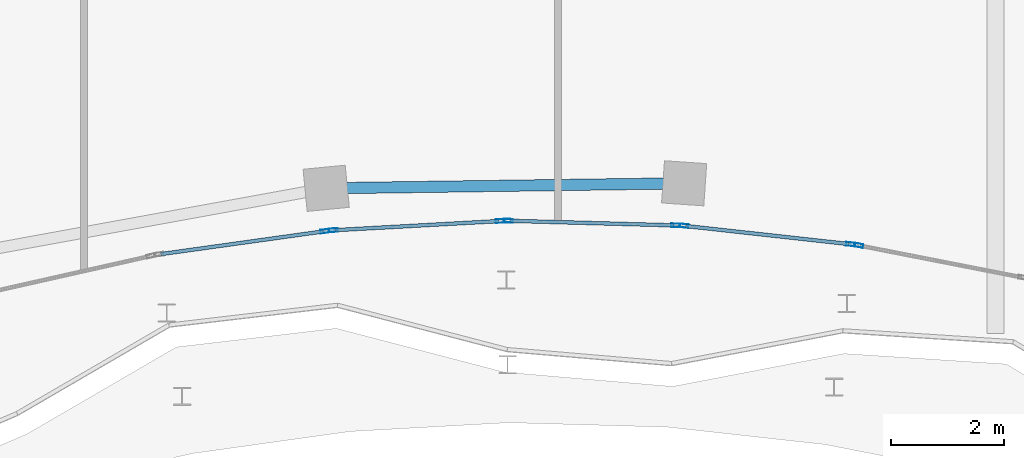
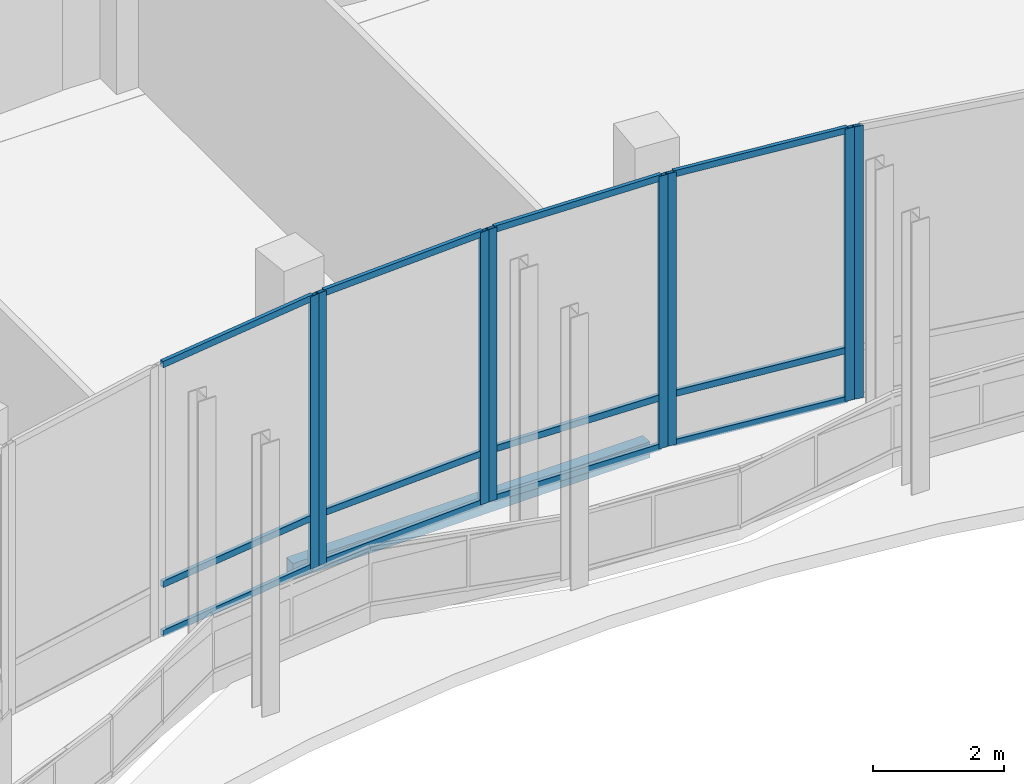
# One storey, part 95 of 158: 20 members, 1 beam, 5 elements without a shape of their own.
"""IFC4 building model written with IfcOpenShell, lengths in metres."""

from ifc_helpers import new_model, si_unit, direction, frame, origin, origin_2d, place, context, subcontext, project, spatial, hollow_rectangle, extrude, material, material_profile, profile_set, type_object, element, aggregate, save


model = new_model("IFC4")

# Units and contexts
model_context = context("Model", 3, precision=1e-05, world=origin(), true_north=direction((0.0, 1.0)))
body_context = subcontext(model_context, "Body", "Model", "MODEL_VIEW")
ifc_project = project(units=[si_unit("LENGTHUNIT", "METRE"), si_unit("AREAUNIT", "SQUARE_METRE"), si_unit("VOLUMEUNIT", "CUBIC_METRE"), si_unit("PLANEANGLEUNIT", "RADIAN"), si_unit("MASSUNIT", "GRAM", prefix="KILO")], contexts=[model_context])

# Site, building, storey
site_placement = place(None, origin())
site = spatial("IfcSite", under=ifc_project, at=site_placement, CompositionType="ELEMENT")
building_placement = place(site_placement, origin())
building = spatial("IfcBuilding", under=site, at=building_placement, Name="Selatvlak General Hospital", CompositionType="ELEMENT")
storey_placement = place(building_placement, origin())
storey = spatial("IfcBuildingStorey", under=building, at=storey_placement, Name="L00", CompositionType="ELEMENT", Elevation=0.0)

# Beam
ifc_material_1 = material(Name="Steel S355", Category="steel")
ifc_material_profile_1 = material_profile(ifc_material_1, hollow_rectangle(XDim=0.199951171875, YDim=0.300048828125, WallThickness=0.011962890625, at=origin_2d()), Name="RHS 300x200x12")
ifc_profile_set_1 = profile_set([ifc_material_profile_1], Name="Steel S355")
beam_type = type_object("IfcBeamType", Name="BM-SP3", PredefinedType="SPANDREL", material=ifc_profile_set_1)
beam_placement = place(storey_placement, frame((136.2919921875, 54.570068359375, -0.5), z_axis=(0.999901810608, 0.014013177494, 0.0), x_axis=(-0.014013177494, 0.999901810608, 0.0)))
element("IfcBeam", 1, at=beam_placement, inside=storey, type_object=beam_type, Name="Beam BMR-L00-0382", PredefinedType="SPANDREL", context=body_context, shape_type="SweptSolid", body=[
    extrude(hollow_rectangle(XDim=0.199951171875, YDim=0.300048828125, WallThickness=0.011962890625, at=origin_2d()), origin(), (0.0, 0.0, 1.0), 6.341796875),
])

# Curtain wall, member
ifc_material_2 = material(Name="Solar-control Low-E double glazing", Category="glass")
curtain_wall_type_1 = type_object("IfcCurtainWallType", Name="CW-CW-01", PredefinedType="USERDEFINED", material=ifc_material_2)
curtain_wall_1_placement = place(storey_placement, origin())
curtain_wall_1 = element("IfcCurtainWall", 2, at=curtain_wall_1_placement, inside=storey, type_object=curtain_wall_type_1, Name="Glazed facade curtain wall CW-L00-0029", ObjectType="UNITISED CURTAIN WALL", PredefinedType="USERDEFINED")
ifc_material_3 = material(Name="Dark anodised aluminium mullion", Category="aluminium")
ifc_material_profile_2 = material_profile(ifc_material_3, hollow_rectangle(XDim=0.06494140625, YDim=0.159912109375, WallThickness=0.00390625, at=origin_2d()), Name="AL-MUL 65x160x4")
ifc_profile_set_2 = profile_set([ifc_material_profile_2], Name="Dark anodised aluminium mullion")
member_type_1 = type_object("IfcMemberType", Name="CWM-01", PredefinedType="MULLION", material=ifc_profile_set_2)
member_1_placement = place(storey_placement, frame((145.724853515625, 53.558837890625, 0.0), z_axis=(0.0, 0.0, 1.0), x_axis=(-0.192246345827, -0.981346698428, 0.0)))
member_1 = element("IfcMember", 3, at=member_1_placement, type_object=member_type_1, Name="CW-01 mullion 2", PredefinedType="MULLION", context=body_context, shape_type="SweptSolid", body=[
    extrude(hollow_rectangle(XDim=0.06494140625, YDim=0.159912109375, WallThickness=0.00390625, at=origin_2d()), origin(), (0.0, 0.0, 1.0), 5.080078125),
])
aggregate(curtain_wall_1, [member_1])

# Curtain wall, members
curtain_wall_type_2 = type_object("IfcCurtainWallType", Name="CW-CW-02", PredefinedType="USERDEFINED", material=ifc_material_2)
curtain_wall_2_placement = place(storey_placement, origin())
curtain_wall_2 = element("IfcCurtainWall", 4, at=curtain_wall_2_placement, inside=storey, type_object=curtain_wall_type_2, Name="Glazed facade curtain wall CW-L00-0030", ObjectType="UNITISED CURTAIN WALL", PredefinedType="USERDEFINED")
member_2_placement = place(storey_placement, frame((145.580810546875, 53.57958984375, 0.0), z_axis=(0.0, 0.0, 1.0), x_axis=(-0.109780202548, -0.993955887919, 0.0)))
member_2 = element("IfcMember", 5, at=member_2_placement, type_object=member_type_1, Name="CW-02 mullion 1", PredefinedType="MULLION", context=body_context, shape_type="SweptSolid", body=[
    extrude(hollow_rectangle(XDim=0.06494140625, YDim=0.159912109375, WallThickness=0.00390625, at=origin_2d()), origin(), (0.0, 0.0, 1.0), 5.080078125),
])
member_3_placement = place(storey_placement, frame((142.63037109375, 53.905517578125, 0.0), z_axis=(0.0, 0.0, 1.0), x_axis=(-0.109780202548, -0.993955887919, 0.0)))
member_3 = element("IfcMember", 6, at=member_3_placement, type_object=member_type_1, Name="CW-02 mullion 2", PredefinedType="MULLION", context=body_context, shape_type="SweptSolid", body=[
    extrude(hollow_rectangle(XDim=0.06494140625, YDim=0.159912109375, WallThickness=0.00390625, at=origin_2d()), origin(), (0.0, 0.0, 1.0), 5.080078125),
])

curtain_wall_3_placement = place(storey_placement, origin())
curtain_wall_3 = element("IfcCurtainWall", 7, at=curtain_wall_3_placement, inside=storey, type_object=curtain_wall_type_1, Name="Glazed facade curtain wall CW-L00-0031", ObjectType="UNITISED CURTAIN WALL", PredefinedType="USERDEFINED")
member_4_placement = place(storey_placement, frame((142.485595703125, 53.912841796875, 0.0), z_axis=(0.0, 0.0, 1.0), x_axis=(-0.027693859483, -0.999616451519, 0.0)))
member_4 = element("IfcMember", 8, at=member_4_placement, type_object=member_type_1, Name="CW-01 mullion 1", PredefinedType="MULLION", context=body_context, shape_type="SweptSolid", body=[
    extrude(hollow_rectangle(XDim=0.06494140625, YDim=0.159912109375, WallThickness=0.00390625, at=origin_2d()), origin(), (0.0, 0.0, 1.0), 5.080078125),
])
member_5_placement = place(storey_placement, frame((139.5185546875, 53.9951171875, 0.0), z_axis=(0.0, 0.0, 1.0), x_axis=(-0.027693859483, -0.999616451519, 0.0)))
member_5 = element("IfcMember", 9, at=member_5_placement, type_object=member_type_1, Name="CW-01 mullion 2", PredefinedType="MULLION", context=body_context, shape_type="SweptSolid", body=[
    extrude(hollow_rectangle(XDim=0.06494140625, YDim=0.159912109375, WallThickness=0.00390625, at=origin_2d()), origin(), (0.0, 0.0, 1.0), 5.080078125),
])

curtain_wall_4_placement = place(storey_placement, origin())
curtain_wall_4 = element("IfcCurtainWall", 10, at=curtain_wall_4_placement, inside=storey, type_object=curtain_wall_type_2, Name="Glazed facade curtain wall CW-L00-0032", ObjectType="UNITISED CURTAIN WALL", PredefinedType="USERDEFINED")
member_6_placement = place(storey_placement, frame((139.37353515625, 53.990234375, 0.0), z_axis=(0.0, 0.0, 1.0), x_axis=(0.055159032792, -0.998477581672, 0.0)))
member_6 = element("IfcMember", 11, at=member_6_placement, type_object=member_type_1, Name="CW-02 mullion 1", PredefinedType="MULLION", context=body_context, shape_type="SweptSolid", body=[
    extrude(hollow_rectangle(XDim=0.06494140625, YDim=0.159912109375, WallThickness=0.00390625, at=origin_2d()), origin(), (0.0, 0.0, 1.0), 5.080078125),
])
member_7_placement = place(storey_placement, frame((136.41552734375, 53.826904296875, 0.0), z_axis=(0.0, 0.0, 1.0), x_axis=(0.055159032792, -0.998477581672, 0.0)))
member_7 = element("IfcMember", 12, at=member_7_placement, type_object=member_type_1, Name="CW-02 mullion 2", PredefinedType="MULLION", context=body_context, shape_type="SweptSolid", body=[
    extrude(hollow_rectangle(XDim=0.06494140625, YDim=0.159912109375, WallThickness=0.00390625, at=origin_2d()), origin(), (0.0, 0.0, 1.0), 5.080078125),
])

# Curtain wall, member
curtain_wall_5_placement = place(storey_placement, origin())
curtain_wall_5 = element("IfcCurtainWall", 13, at=curtain_wall_5_placement, inside=storey, type_object=curtain_wall_type_1, Name="Glazed facade curtain wall CW-L00-0033", ObjectType="UNITISED CURTAIN WALL", PredefinedType="USERDEFINED")
member_8_placement = place(storey_placement, frame((136.270751953125, 53.810546875, 0.0), z_axis=(0.0, 0.0, 1.0), x_axis=(0.138421573138, -0.990373398315, 0.0)))
member_8 = element("IfcMember", 14, at=member_8_placement, type_object=member_type_1, Name="CW-01 mullion 1", PredefinedType="MULLION", context=body_context, shape_type="SweptSolid", body=[
    extrude(hollow_rectangle(XDim=0.06494140625, YDim=0.159912109375, WallThickness=0.00390625, at=origin_2d()), origin(), (0.0, 0.0, 1.0), 5.080078125),
])

# Member
ifc_material_profile_3 = material_profile(ifc_material_3, hollow_rectangle(XDim=0.06494140625, YDim=0.1201171875, WallThickness=0.00390625, at=origin_2d()), Name="AL-TRN 65x120x4")
ifc_profile_set_3 = profile_set([ifc_material_profile_3], Name="Dark anodised aluminium mullion")
member_type_2 = type_object("IfcMemberType", Name="CWT-01", PredefinedType="USERDEFINED", material=ifc_profile_set_3)
member_9_placement = place(storey_placement, frame((145.54833984375, 53.583251953125, 0.032470703125), z_axis=(-0.993960406488, 0.109739283457, 0.0), x_axis=(-0.109739283457, -0.993960406488, 0.0)))
member_9 = element("IfcMember", 15, at=member_9_placement, type_object=member_type_2, Name="CW-02 transom 1.1", ObjectType="TRANSOM", PredefinedType="USERDEFINED", context=body_context, shape_type="SweptSolid", body=[
    extrude(hollow_rectangle(XDim=0.06494140625, YDim=0.1201171875, WallThickness=0.00390625, at=origin_2d()), origin(), (0.0, 0.0, 1.0), 2.9033203125),
])

member_10_placement = place(storey_placement, frame((145.54833984375, 53.583251953125, 0.949951171875), z_axis=(-0.993960406488, 0.109739283457, 0.0), x_axis=(-0.109739283457, -0.993960406488, 0.0)))
member_10 = element("IfcMember", 16, at=member_10_placement, type_object=member_type_2, Name="CW-02 transom 1.2", ObjectType="TRANSOM", PredefinedType="USERDEFINED", context=body_context, shape_type="SweptSolid", body=[
    extrude(hollow_rectangle(XDim=0.06494140625, YDim=0.1201171875, WallThickness=0.00390625, at=origin_2d()), origin(), (0.0, 0.0, 1.0), 2.9033203125),
])

member_11_placement = place(storey_placement, frame((145.54833984375, 53.583251953125, 5.047607421875), z_axis=(-0.993960406488, 0.109739283457, 0.0), x_axis=(-0.109739283457, -0.993960406488, 0.0)))
member_11 = element("IfcMember", 17, at=member_11_placement, type_object=member_type_2, Name="CW-02 transom 1.3", ObjectType="TRANSOM", PredefinedType="USERDEFINED", context=body_context, shape_type="SweptSolid", body=[
    extrude(hollow_rectangle(XDim=0.06494140625, YDim=0.1201171875, WallThickness=0.00390625, at=origin_2d()), origin(), (0.0, 0.0, 1.0), 2.9033203125),
])

aggregate(curtain_wall_2, [member_2, member_3, member_9, member_10, member_11])

member_12_placement = place(storey_placement, frame((142.453125, 53.913818359375, 0.032470703125), z_axis=(-0.999617203596, 0.027666699755, 0.0), x_axis=(-0.027666699755, -0.999617203596, 0.0)))
member_12 = element("IfcMember", 18, at=member_12_placement, type_object=member_type_2, Name="CW-01 transom 1.1", ObjectType="TRANSOM", PredefinedType="USERDEFINED", context=body_context, shape_type="SweptSolid", body=[
    extrude(hollow_rectangle(XDim=0.06494140625, YDim=0.1201171875, WallThickness=0.00390625, at=origin_2d()), origin(), (0.0, 0.0, 1.0), 2.9033203125),
])

member_13_placement = place(storey_placement, frame((142.453125, 53.913818359375, 0.949951171875), z_axis=(-0.999617203596, 0.027666699755, 0.0), x_axis=(-0.027666699755, -0.999617203596, 0.0)))
member_13 = element("IfcMember", 19, at=member_13_placement, type_object=member_type_2, Name="CW-01 transom 1.2", ObjectType="TRANSOM", PredefinedType="USERDEFINED", context=body_context, shape_type="SweptSolid", body=[
    extrude(hollow_rectangle(XDim=0.06494140625, YDim=0.1201171875, WallThickness=0.00390625, at=origin_2d()), origin(), (0.0, 0.0, 1.0), 2.9033203125),
])

member_14_placement = place(storey_placement, frame((142.453125, 53.913818359375, 5.047607421875), z_axis=(-0.999617203596, 0.027666699755, 0.0), x_axis=(-0.027666699755, -0.999617203596, 0.0)))
member_14 = element("IfcMember", 20, at=member_14_placement, type_object=member_type_2, Name="CW-01 transom 1.3", ObjectType="TRANSOM", PredefinedType="USERDEFINED", context=body_context, shape_type="SweptSolid", body=[
    extrude(hollow_rectangle(XDim=0.06494140625, YDim=0.1201171875, WallThickness=0.00390625, at=origin_2d()), origin(), (0.0, 0.0, 1.0), 2.9033203125),
])

aggregate(curtain_wall_3, [member_4, member_5, member_12, member_13, member_14])

member_15_placement = place(storey_placement, frame((139.341064453125, 53.988525390625, 0.032470703125), z_axis=(-0.998475869557, -0.055190016419, 0.0), x_axis=(0.055190016419, -0.998475869557, 0.0)))
member_15 = element("IfcMember", 21, at=member_15_placement, type_object=member_type_2, Name="CW-02 transom 1.1", ObjectType="TRANSOM", PredefinedType="USERDEFINED", context=body_context, shape_type="SweptSolid", body=[
    extrude(hollow_rectangle(XDim=0.06494140625, YDim=0.1201171875, WallThickness=0.00390625, at=origin_2d()), origin(), (0.0, 0.0, 1.0), 2.8974609375),
])

member_16_placement = place(storey_placement, frame((139.341064453125, 53.988525390625, 0.949951171875), z_axis=(-0.998475869557, -0.055190016419, 0.0), x_axis=(0.055190016419, -0.998475869557, 0.0)))
member_16 = element("IfcMember", 22, at=member_16_placement, type_object=member_type_2, Name="CW-02 transom 1.2", ObjectType="TRANSOM", PredefinedType="USERDEFINED", context=body_context, shape_type="SweptSolid", body=[
    extrude(hollow_rectangle(XDim=0.06494140625, YDim=0.1201171875, WallThickness=0.00390625, at=origin_2d()), origin(), (0.0, 0.0, 1.0), 2.8974609375),
])

member_17_placement = place(storey_placement, frame((139.341064453125, 53.988525390625, 5.047607421875), z_axis=(-0.998475869557, -0.055190016419, 0.0), x_axis=(0.055190016419, -0.998475869557, 0.0)))
member_17 = element("IfcMember", 23, at=member_17_placement, type_object=member_type_2, Name="CW-02 transom 1.3", ObjectType="TRANSOM", PredefinedType="USERDEFINED", context=body_context, shape_type="SweptSolid", body=[
    extrude(hollow_rectangle(XDim=0.06494140625, YDim=0.1201171875, WallThickness=0.00390625, at=origin_2d()), origin(), (0.0, 0.0, 1.0), 2.8974609375),
])

aggregate(curtain_wall_4, [member_6, member_7, member_15, member_16, member_17])

member_18_placement = place(storey_placement, frame((136.238525390625, 53.805908203125, 0.032470703125), z_axis=(-0.990380261948, -0.138372456597, 0.0), x_axis=(0.138372456597, -0.990380261948, 0.0)))
member_18 = element("IfcMember", 24, at=member_18_placement, type_object=member_type_2, Name="CW-01 transom 1.1", ObjectType="TRANSOM", PredefinedType="USERDEFINED", context=body_context, shape_type="SweptSolid", body=[
    extrude(hollow_rectangle(XDim=0.06494140625, YDim=0.1201171875, WallThickness=0.00390625, at=origin_2d()), origin(), (0.0, 0.0, 1.0), 2.904052734375),
])

member_19_placement = place(storey_placement, frame((136.238525390625, 53.805908203125, 0.949951171875), z_axis=(-0.990380261948, -0.138372456597, 0.0), x_axis=(0.138372456597, -0.990380261948, 0.0)))
member_19 = element("IfcMember", 25, at=member_19_placement, type_object=member_type_2, Name="CW-01 transom 1.2", ObjectType="TRANSOM", PredefinedType="USERDEFINED", context=body_context, shape_type="SweptSolid", body=[
    extrude(hollow_rectangle(XDim=0.06494140625, YDim=0.1201171875, WallThickness=0.00390625, at=origin_2d()), origin(), (0.0, 0.0, 1.0), 2.904052734375),
])

member_20_placement = place(storey_placement, frame((136.238525390625, 53.805908203125, 5.047607421875), z_axis=(-0.990380261948, -0.138372456597, 0.0), x_axis=(0.138372456597, -0.990380261948, 0.0)))
member_20 = element("IfcMember", 26, at=member_20_placement, type_object=member_type_2, Name="CW-01 transom 1.3", ObjectType="TRANSOM", PredefinedType="USERDEFINED", context=body_context, shape_type="SweptSolid", body=[
    extrude(hollow_rectangle(XDim=0.06494140625, YDim=0.1201171875, WallThickness=0.00390625, at=origin_2d()), origin(), (0.0, 0.0, 1.0), 2.904052734375),
])

aggregate(curtain_wall_5, [member_8, member_18, member_19, member_20])

save(model, "model.ifc")
